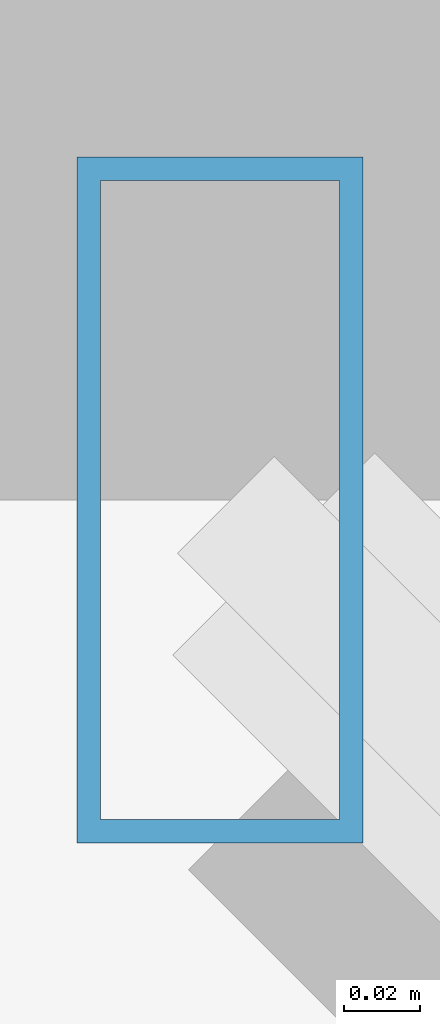
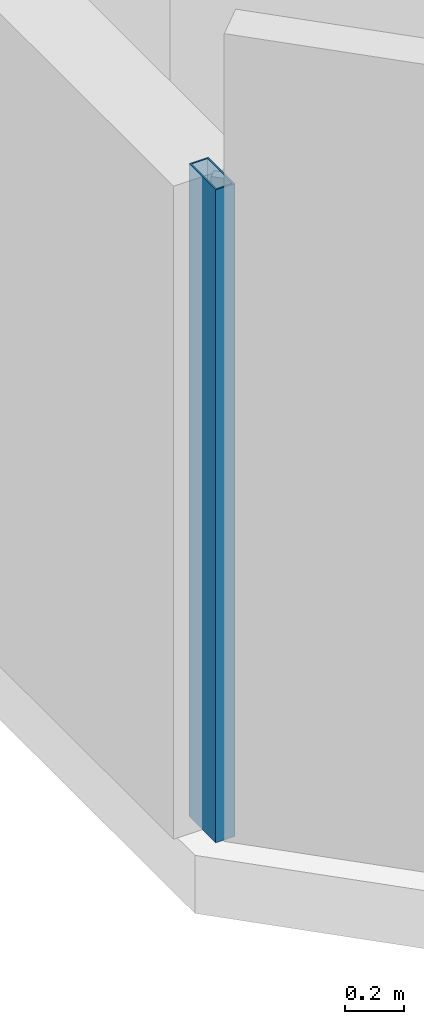
# One storey, part 8 of 35: 1 member, 1 element without a shape of its own.
"""IFC4 building model written with IfcOpenShell, lengths in metres."""

from ifc_helpers import new_model, si_unit, direction, frame, origin, origin_2d, place, context, subcontext, project, spatial, hollow_rectangle, extrude, material, material_profile, profile_set, type_object, element, aggregate, save


model = new_model("IFC4")

# Units and contexts
model_context = context("Model", 3, precision=1e-05, world=origin(), true_north=direction((0.0, 1.0)))
body_context = subcontext(model_context, "Body", "Model", "MODEL_VIEW")
ifc_project = project(units=[si_unit("LENGTHUNIT", "METRE"), si_unit("AREAUNIT", "SQUARE_METRE"), si_unit("VOLUMEUNIT", "CUBIC_METRE"), si_unit("PLANEANGLEUNIT", "RADIAN"), si_unit("MASSUNIT", "GRAM", prefix="KILO")], contexts=[model_context])

# Site, building, storey
site_placement = place(None, origin())
site = spatial("IfcSite", under=ifc_project, at=site_placement, CompositionType="ELEMENT")
building_placement = place(site_placement, origin())
building = spatial("IfcBuilding", under=site, at=building_placement, Name="Thornwick Lancets Civic Towers", CompositionType="ELEMENT")
storey_placement = place(building_placement, frame((0.0, 0.0, 272.699951171875)))
storey = spatial("IfcBuildingStorey", under=building, at=storey_placement, Name="L73", CompositionType="ELEMENT", Elevation=272.699951171875)

# Curtain wall, member
ifc_material_1 = material(Name="High-zone chamfered-corner unitised glass curtain wall", Category="glass")
curtain_wall_type = type_object("IfcCurtainWallType", Name="CW_SYS_05", PredefinedType="NOTDEFINED", material=ifc_material_1)
curtain_wall_placement = place(storey_placement, origin())
curtain_wall = element("IfcCurtainWall", 1, at=curtain_wall_placement, inside=storey, type_object=curtain_wall_type, Name="L73 Curtain Wall CW-L73-B-E7", PredefinedType="NOTDEFINED")
ifc_material_2 = material(Name="Thermally broken bronze aluminium S355", Category="steel")
ifc_material_profile = material_profile(ifc_material_2, hollow_rectangle(XDim=0.074951171875, YDim=0.179931640625, WallThickness=0.006103515625, at=origin_2d()), Name="RHS 180x75x6")
ifc_profile_set = profile_set([ifc_material_profile], Name="Thermally broken bronze aluminium S355")
member_type = type_object("IfcMemberType", Name="CW_MUL_180", PredefinedType="MULLION", material=ifc_profile_set)
member_placement = place(storey_placement, frame((70.7353515625, 11.818603515625, 0.0), z_axis=(0.0, 0.0, 1.0), x_axis=(1.0, 0.0, 0.0)))
member = element("IfcMember", 2, at=member_placement, type_object=member_type, Name="CW-L73-B-E7 Mullion 0", PredefinedType="MULLION", context=body_context, shape_type="SweptSolid", body=[
    extrude(hollow_rectangle(XDim=0.074951171875, YDim=0.179931640625, WallThickness=0.006103515625, at=origin_2d()), origin(), (0.0, 0.0, 1.0), 2.699951171875),
])
aggregate(curtain_wall, [member])

save(model, "model.ifc")
